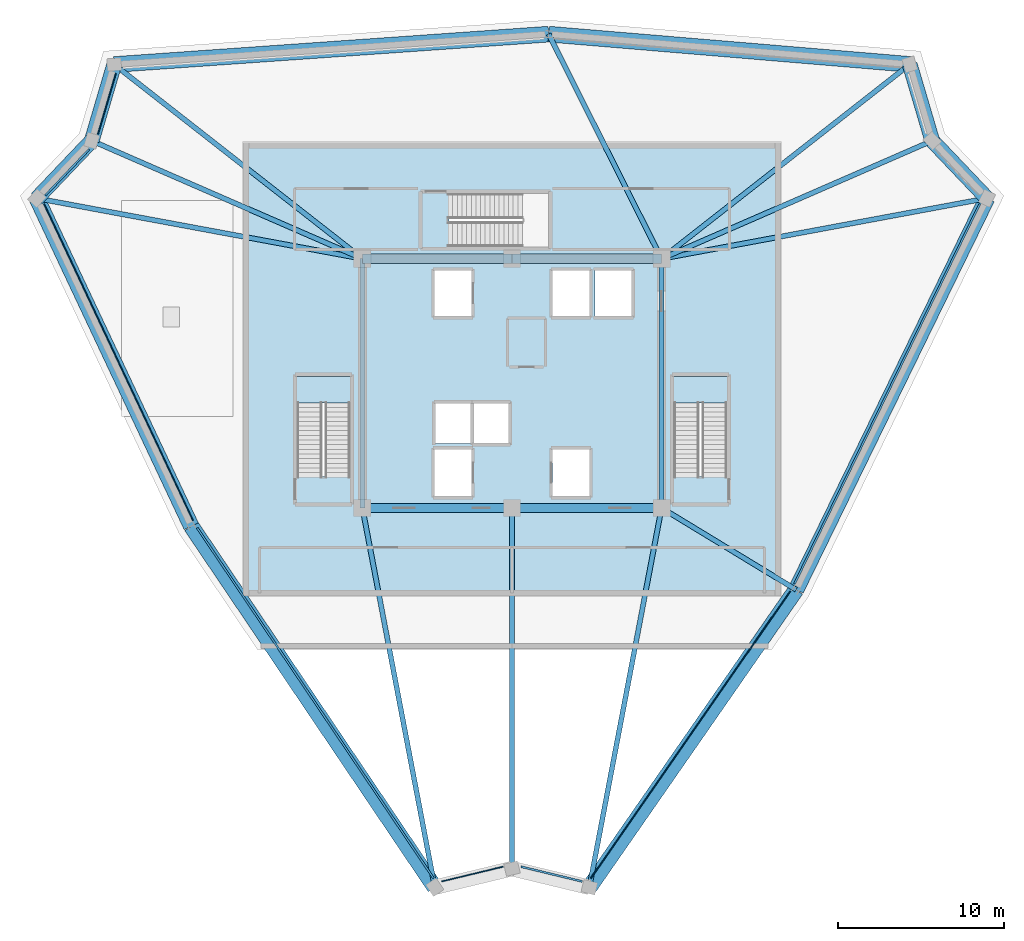
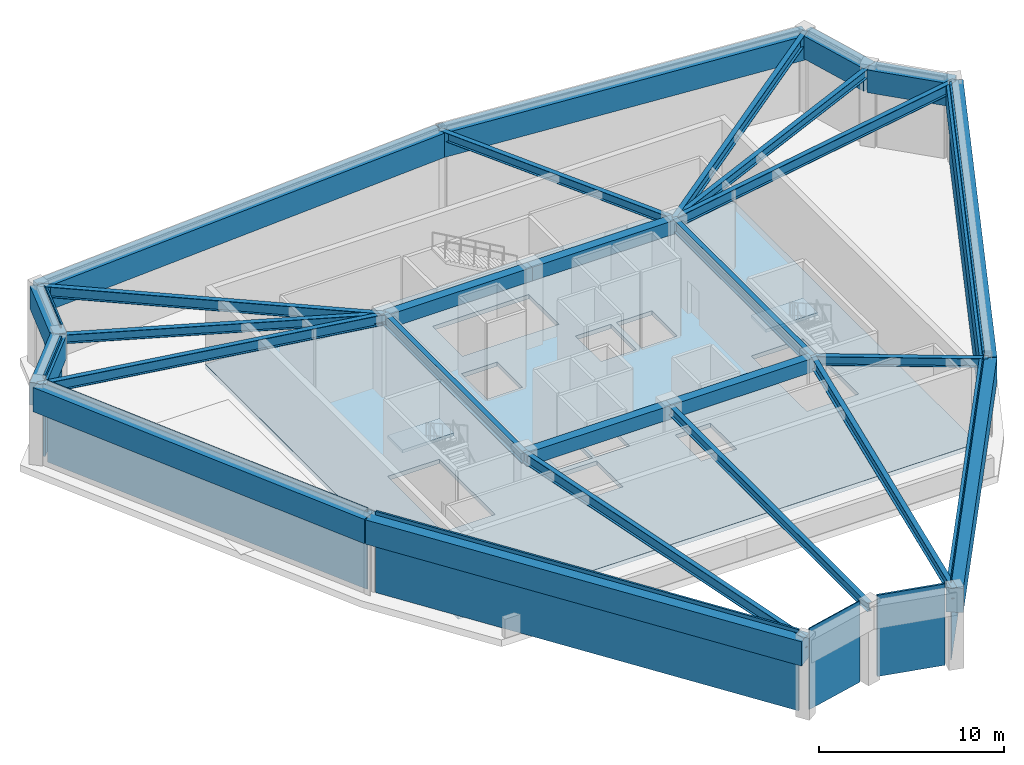
# One storey, part 3 of 8: 27 beams, 8 plates, 3 slabs, 2 elements without a shape of their own.
"""IFC4 building model written with IfcOpenShell, lengths in metres."""

from ifc_helpers import new_model, si_unit, direction, frame, origin, origin_2d, place, context, subcontext, project, spatial, polyline, rectangle, i_section, outline, extrude, source, transform, mapped, material, layer, layer_set, material_profile, profile_set, type_object, element, aggregate, save


model = new_model("IFC4")

# Units and contexts
model_context = context("Model", 3, precision=1e-05, world=origin(), true_north=direction((0.0, 1.0)))
body_context = subcontext(model_context, "Body", "Model", "MODEL_VIEW")
ifc_project = project(units=[si_unit("LENGTHUNIT", "METRE"), si_unit("AREAUNIT", "SQUARE_METRE"), si_unit("VOLUMEUNIT", "CUBIC_METRE"), si_unit("PLANEANGLEUNIT", "RADIAN"), si_unit("MASSUNIT", "GRAM", prefix="KILO")], contexts=[model_context])

# Site, building, storey
site_placement = place(None, origin())
site = spatial("IfcSite", under=ifc_project, at=site_placement, CompositionType="ELEMENT")
building_placement = place(site_placement, origin())
building = spatial("IfcBuilding", under=site, at=building_placement, Name="Liaohun Quay Tower", CompositionType="ELEMENT")
storey_placement = place(building_placement, frame((0.0, 0.0, 360.60009765625)))
storey = spatial("IfcBuildingStorey", under=building, at=storey_placement, Name="L93", CompositionType="ELEMENT", Elevation=360.60009765625)

# Beams
ifc_material_1 = material(Name="Steel Q355D", Category="steel")
ifc_material_profile_1 = material_profile(ifc_material_1, i_section(OverallWidth=0.300048828125, OverallDepth=0.800048828125, WebThickness=0.013916015625, FlangeThickness=0.02587890625, at=origin_2d()), Name="HN800x300x14x26")
ifc_profile_set_1 = profile_set([ifc_material_profile_1], Name="Steel Q355D")
beam_type_1 = type_object("IfcBeamType", Name="BM-RAD-M1", PredefinedType="BEAM", material=ifc_profile_set_1)
shared_shape_1 = source(origin(), body_context, "Body", "SweptSolid", [
    extrude(i_section(OverallWidth=0.300048828125, OverallDepth=0.800048828125, WebThickness=0.013916015625, FlangeThickness=0.02587890625, at=origin_2d()), origin(), (0.0, 0.0, 1.0), 15.0),
])
for number, where, z_axis, x_axis, name in (
    (1, (69.0, 46.5, 4.719970703125), (0.0, 1.0, 0.0), (-1.0, 0.0, 0.0), "L93 Core Coupling/Ring Beam CC3-CC4"),
    (2, (51.0, 61.5, 4.719970703125), (0.0, -1.0, 0.0), (1.0, 0.0, 0.0), "L93 Core Coupling/Ring Beam CC6-CC1"),
):
    element("IfcBeam", number, at=place(storey_placement, frame(where, z_axis=z_axis, x_axis=x_axis)), inside=storey, type_object=beam_type_1, Name=name, PredefinedType="BEAM", context=body_context, shape_type="MappedRepresentation", body=[
        mapped(shared_shape_1, transform((0.0, 0.0, 0.0), x_axis=(1.0, 0.0, 0.0), y_axis=(0.0, 1.0, 0.0), z_axis=(0.0, 0.0, 1.0), scale=1.0)),
    ])
ifc_material_2 = material(Name="Concrete C55", Category="concrete")
ifc_material_profile_2 = material_profile(ifc_material_2, rectangle(XDim=0.550048828125, YDim=0.89990234375, at=origin_2d()), Name="RC550x900")
ifc_profile_set_2 = profile_set([ifc_material_profile_2], Name="Concrete C55")
beam_type_2 = type_object("IfcBeamType", Name="BM-CPL-2", PredefinedType="LINTEL", material=ifc_profile_set_2)
shared_shape_2 = source(origin(), body_context, "Body", "SweptSolid", [
    extrude(rectangle(XDim=0.550048828125, YDim=0.89990234375, at=origin_2d()), origin(), (0.0, 0.0, 1.0), 9.0),
])
for number, where, z_axis, x_axis, name in (
    (3, (51.0, 46.5, 4.669921875), (1.0, 0.0, 0.0), (0.0, 1.0, 0.0), "L93 Core Coupling/Ring Beam CC1-CC2"),
    (4, (60.0, 46.5, 4.669921875), (1.0, 0.0, 0.0), (0.0, 1.0, 0.0), "L93 Core Coupling/Ring Beam CC2-CC3"),
    (5, (69.0, 61.5, 4.669921875), (-1.0, 0.0, 0.0), (0.0, -1.0, 0.0), "L93 Core Coupling/Ring Beam CC4-CC5"),
    (6, (60.0, 61.5, 4.669921875), (-1.0, 0.0, 0.0), (0.0, -1.0, 0.0), "L93 Core Coupling/Ring Beam CC5-CC6"),
):
    element("IfcBeam", number, at=place(storey_placement, frame(where, z_axis=z_axis, x_axis=x_axis)), inside=storey, type_object=beam_type_2, Name=name, PredefinedType="LINTEL", context=body_context, shape_type="MappedRepresentation", body=[
        mapped(shared_shape_2, transform((0.0, 0.0, 0.0), x_axis=(1.0, 0.0, 0.0), y_axis=(0.0, 1.0, 0.0), z_axis=(0.0, 0.0, 1.0), scale=1.0)),
    ])
ifc_material_profile_3 = material_profile(ifc_material_2, rectangle(XDim=0.949951171875, YDim=1.60009765625, at=origin_2d()), Name="RC950x1600")
ifc_profile_set_3 = profile_set([ifc_material_profile_3], Name="Concrete C55")
beam_type_3 = type_object("IfcBeamType", Name="BM-CAN-LNG", PredefinedType="SPANDREL", material=ifc_profile_set_3)
shared_shape_3 = source(origin(), body_context, "Body", "SweptSolid", [
    extrude(rectangle(XDim=0.949951171875, YDim=1.60009765625, at=origin_2d()), origin(), (0.0, 0.0, 1.0), 26.20751953125),
])
beam_1_placement = place(storey_placement, frame((55.35400390625, 23.677978515625, 4.31982421875), z_axis=(-0.559191552836, 0.829038483568, 0.0), x_axis=(-0.829038483568, -0.559191552836, 0.0)))
element("IfcBeam", 7, at=beam_1_placement, inside=storey, type_object=beam_type_3, Name="L93 Precast Spandrel Beam PC01-PC02", PredefinedType="SPANDREL", context=body_context, shape_type="MappedRepresentation", body=[
    mapped(shared_shape_3, transform((0.0, 0.0, 0.0), x_axis=(1.0, 0.0, 0.0), y_axis=(0.0, 1.0, 0.0), z_axis=(0.0, 0.0, 1.0), scale=1.0)),
])
shared_shape_4 = source(origin(), body_context, "Body", "SweptSolid", [
    extrude(rectangle(XDim=0.949951171875, YDim=1.60009765625, at=origin_2d()), origin(), (0.0, 0.0, 1.0), 21.803466796875),
])
beam_2_placement = place(storey_placement, frame((40.698974609375, 45.405029296875, 4.31982421875), z_axis=(-0.425993313614, 0.904726310414, 0.0), x_axis=(-0.904726310414, -0.425993313614, 0.0)))
element("IfcBeam", 8, at=beam_2_placement, inside=storey, type_object=beam_type_3, Name="L93 Precast Spandrel Beam PC02-PC03", PredefinedType="SPANDREL", context=body_context, shape_type="MappedRepresentation", body=[
    mapped(shared_shape_4, transform((0.0, 0.0, 0.0), x_axis=(1.0, 0.0, 0.0), y_axis=(0.0, 1.0, 0.0), z_axis=(0.0, 0.0, 1.0), scale=1.0)),
])
ifc_material_profile_4 = material_profile(ifc_material_2, rectangle(XDim=0.89990234375, YDim=1.5, at=origin_2d()), Name="RC900x1500")
ifc_profile_set_4 = profile_set([ifc_material_profile_4], Name="Concrete C55")
beam_type_4 = type_object("IfcBeamType", Name="BM-CAN-RING", PredefinedType="BEAM", material=ifc_profile_set_4)
shared_shape_5 = source(origin(), body_context, "Body", "SweptSolid", [
    extrude(rectangle(XDim=0.89990234375, YDim=1.5, at=origin_2d()), origin(), (0.0, 0.0, 1.0), 4.78857421875),
])
beam_3_placement = place(storey_placement, frame((31.410888671875, 65.131103515625, 4.369873046875), z_axis=(0.689350846043, 0.724427643771, 0.0), x_axis=(-0.724427643771, 0.689350846043, 0.0)))
element("IfcBeam", 9, at=beam_3_placement, inside=storey, type_object=beam_type_4, Name="L93 Precast Spandrel Beam PC03-PC04", PredefinedType="BEAM", context=body_context, shape_type="MappedRepresentation", body=[
    mapped(shared_shape_5, transform((0.0, 0.0, 0.0), x_axis=(1.0, 0.0, 0.0), y_axis=(0.0, 1.0, 0.0), z_axis=(0.0, 0.0, 1.0), scale=1.0)),
])
shared_shape_6 = source(origin(), body_context, "Body", "SweptSolid", [
    extrude(rectangle(XDim=0.89990234375, YDim=1.5, at=origin_2d()), origin(), (0.0, 0.0, 1.0), 4.77978515625),
])
beam_4_placement = place(storey_placement, frame((34.7119140625, 68.60009765625, 4.369873046875), z_axis=(0.282658510174, 0.959220603733, 0.0), x_axis=(-0.959220603733, 0.282658510174, 0.0)))
element("IfcBeam", 10, at=beam_4_placement, inside=storey, type_object=beam_type_4, Name="L93 Precast Spandrel Beam PC04-PC05", PredefinedType="BEAM", context=body_context, shape_type="MappedRepresentation", body=[
    mapped(shared_shape_6, transform((0.0, 0.0, 0.0), x_axis=(1.0, 0.0, 0.0), y_axis=(0.0, 1.0, 0.0), z_axis=(0.0, 0.0, 1.0), scale=1.0)),
])
shared_shape_7 = source(origin(), body_context, "Body", "SweptSolid", [
    extrude(rectangle(XDim=0.949951171875, YDim=1.60009765625, at=origin_2d()), origin(), (0.0, 0.0, 1.0), 26.207763671875),
])
beam_5_placement = place(storey_placement, frame((36.06298828125, 73.18505859375, 4.31982421875), z_axis=(0.997564816794, 0.069745510929, 0.0), x_axis=(-0.069745510929, 0.997564816794, 0.0)))
element("IfcBeam", 11, at=beam_5_placement, inside=storey, type_object=beam_type_3, Name="L93 Precast Spandrel Beam PC05-PC06", PredefinedType="SPANDREL", context=body_context, shape_type="MappedRepresentation", body=[
    mapped(shared_shape_7, transform((0.0, 0.0, 0.0), x_axis=(1.0, 0.0, 0.0), y_axis=(0.0, 1.0, 0.0), z_axis=(0.0, 0.0, 1.0), scale=1.0)),
])
shared_shape_8 = source(origin(), body_context, "Body", "SweptSolid", [
    extrude(rectangle(XDim=0.949951171875, YDim=1.60009765625, at=origin_2d()), origin(), (0.0, 0.0, 1.0), 21.802978515625),
])
beam_6_placement = place(storey_placement, frame((62.20703125, 75.012939453125, 4.31982421875), z_axis=(0.996514334096, -0.083421711453, 0.0), x_axis=(0.083421711453, 0.996514334096, 0.0)))
element("IfcBeam", 12, at=beam_6_placement, inside=storey, type_object=beam_type_3, Name="L93 Precast Spandrel Beam PC06-PC07", PredefinedType="SPANDREL", context=body_context, shape_type="MappedRepresentation", body=[
    mapped(shared_shape_8, transform((0.0, 0.0, 0.0), x_axis=(1.0, 0.0, 0.0), y_axis=(0.0, 1.0, 0.0), z_axis=(0.0, 0.0, 1.0), scale=1.0)),
])
shared_shape_9 = source(origin(), body_context, "Body", "SweptSolid", [
    extrude(rectangle(XDim=0.89990234375, YDim=1.5, at=origin_2d()), origin(), (0.0, 0.0, 1.0), 4.789306640625),
])
beam_7_placement = place(storey_placement, frame((83.93408203125, 73.194091796875, 4.369873046875), z_axis=(0.282709962926, -0.959205440384, 0.0), x_axis=(0.959205440384, 0.282709962926, 0.0)))
element("IfcBeam", 13, at=beam_7_placement, inside=storey, type_object=beam_type_4, Name="L93 Precast Spandrel Beam PC07-PC08", PredefinedType="BEAM", context=body_context, shape_type="MappedRepresentation", body=[
    mapped(shared_shape_9, transform((0.0, 0.0, 0.0), x_axis=(1.0, 0.0, 0.0), y_axis=(0.0, 1.0, 0.0), z_axis=(0.0, 0.0, 1.0), scale=1.0)),
])
shared_shape_10 = source(origin(), body_context, "Body", "SweptSolid", [
    extrude(rectangle(XDim=0.89990234375, YDim=1.5, at=origin_2d()), origin(), (0.0, 0.0, 1.0), 4.780029296875),
])
beam_8_placement = place(storey_placement, frame((85.2880859375, 68.60009765625, 4.369873046875), z_axis=(0.689292892883, -0.724482786422, 0.0), x_axis=(0.724482786422, 0.689292892883, 0.0)))
element("IfcBeam", 14, at=beam_8_placement, inside=storey, type_object=beam_type_4, Name="L93 Precast Spandrel Beam PC08-PC09", PredefinedType="BEAM", context=body_context, shape_type="MappedRepresentation", body=[
    mapped(shared_shape_10, transform((0.0, 0.0, 0.0), x_axis=(1.0, 0.0, 0.0), y_axis=(0.0, 1.0, 0.0), z_axis=(0.0, 0.0, 1.0), scale=1.0)),
])
shared_shape_11 = source(origin(), body_context, "Body", "SweptSolid", [
    extrude(rectangle(XDim=0.949951171875, YDim=1.60009765625, at=origin_2d()), origin(), (0.0, 0.0, 1.0), 26.20703125),
])
beam_9_placement = place(storey_placement, frame((88.5830078125, 65.136962890625, 4.31982421875), z_axis=(-0.438356638262, -0.898801122435, 0.0), x_axis=(0.898801122435, -0.438356638262, 0.0)))
element("IfcBeam", 15, at=beam_9_placement, inside=storey, type_object=beam_type_3, Name="L93 Precast Spandrel Beam PC09-PC10", PredefinedType="SPANDREL", context=body_context, shape_type="MappedRepresentation", body=[
    mapped(shared_shape_11, transform((0.0, 0.0, 0.0), x_axis=(1.0, 0.0, 0.0), y_axis=(0.0, 1.0, 0.0), z_axis=(0.0, 0.0, 1.0), scale=1.0)),
])
shared_shape_12 = source(origin(), body_context, "Body", "SweptSolid", [
    extrude(rectangle(XDim=0.949951171875, YDim=1.60009765625, at=origin_2d()), origin(), (0.0, 0.0, 1.0), 21.80322265625),
])
beam_10_placement = place(storey_placement, frame((77.094970703125, 41.58203125, 4.31982421875), z_axis=(-0.570557168324, -0.821257887435, 0.0), x_axis=(0.821257887435, -0.570557168324, 0.0)))
element("IfcBeam", 16, at=beam_10_placement, inside=storey, type_object=beam_type_3, Name="L93 Precast Spandrel Beam PC10-PC11", PredefinedType="SPANDREL", context=body_context, shape_type="MappedRepresentation", body=[
    mapped(shared_shape_12, transform((0.0, 0.0, 0.0), x_axis=(1.0, 0.0, 0.0), y_axis=(0.0, 1.0, 0.0), z_axis=(0.0, 0.0, 1.0), scale=1.0)),
])
ifc_material_profile_5 = material_profile(ifc_material_1, i_section(OverallWidth=0.300048828125, OverallDepth=0.699951171875, WebThickness=0.012939453125, FlangeThickness=0.02392578125, at=origin_2d()), Name="HN700x300x13x24")
ifc_profile_set_5 = profile_set([ifc_material_profile_5], Name="Steel Q355D")
beam_type_5 = type_object("IfcBeamType", Name="BM-RAD-U1", PredefinedType="BEAM", material=ifc_profile_set_5)
shared_shape_13 = source(origin(), body_context, "Body", "SweptSolid", [
    extrude(i_section(OverallWidth=0.300048828125, OverallDepth=0.699951171875, WebThickness=0.012939453125, FlangeThickness=0.02392578125, at=origin_2d()), origin(), (0.0, 0.0, 1.0), 23.233642578125),
])
beam_11_placement = place(storey_placement, frame((51.0, 46.5, 4.77001953125), z_axis=(0.187400853189, -0.982283523339, 0.0), x_axis=(0.982283523339, 0.187400853189, 0.0)))
element("IfcBeam", 17, at=beam_11_placement, inside=storey, type_object=beam_type_5, Name="L93 Radial Primary Girder CC1-PC01", PredefinedType="BEAM", context=body_context, shape_type="MappedRepresentation", body=[
    mapped(shared_shape_13, transform((0.0, 0.0, 0.0), x_axis=(1.0, 0.0, 0.0), y_axis=(0.0, 1.0, 0.0), z_axis=(0.0, 0.0, 1.0), scale=1.0)),
])
shared_shape_14 = source(origin(), body_context, "Body", "SweptSolid", [
    extrude(i_section(OverallWidth=0.300048828125, OverallDepth=0.699951171875, WebThickness=0.012939453125, FlangeThickness=0.02392578125, at=origin_2d()), origin(), (0.0, 0.0, 1.0), 19.9228515625),
])
beam_12_placement = place(storey_placement, frame((51.0, 61.5, 4.77001953125), z_axis=(-0.983250623213, 0.182258640266, 0.0), x_axis=(-0.182258640266, -0.983250623213, 0.0)))
element("IfcBeam", 18, at=beam_12_placement, inside=storey, type_object=beam_type_5, Name="L93 Radial Primary Girder CC6-PC03", PredefinedType="BEAM", context=body_context, shape_type="MappedRepresentation", body=[
    mapped(shared_shape_14, transform((0.0, 0.0, 0.0), x_axis=(1.0, 0.0, 0.0), y_axis=(0.0, 1.0, 0.0), z_axis=(0.0, 0.0, 1.0), scale=1.0)),
])
ifc_material_profile_6 = material_profile(ifc_material_1, i_section(OverallWidth=0.300048828125, OverallDepth=0.587890625, WebThickness=0.011962890625, FlangeThickness=0.02001953125, at=origin_2d()), Name="HM588x300x12x20")
ifc_profile_set_6 = profile_set([ifc_material_profile_6], Name="Steel Q355D")
beam_type_6 = type_object("IfcBeamType", Name="BM-RAD-U2", PredefinedType="BEAM", material=ifc_profile_set_6)
shared_shape_15 = source(origin(), body_context, "Body", "SweptSolid", [
    extrude(i_section(OverallWidth=0.300048828125, OverallDepth=0.587890625, WebThickness=0.011962890625, FlangeThickness=0.02001953125, at=origin_2d()), origin(), (0.0, 0.0, 1.0), 17.768310546875),
])
for number, where, z_axis, x_axis, name in (
    (19, (51.0, 61.5, 4.825927734375), (-0.916692609329, 0.39959311806, 0.0), (-0.39959311806, -0.916692609329, 0.0), "L93 Radial Primary Girder CC6-PC04"),
    (20, (69.0, 61.5, 4.825927734375), (0.916692609329, 0.39959311806, 0.0), (-0.39959311806, 0.916692609329, 0.0), "L93 Radial Primary Girder CC4-PC08"),
):
    element("IfcBeam", number, at=place(storey_placement, frame(where, z_axis=z_axis, x_axis=x_axis)), inside=storey, type_object=beam_type_6, Name=name, PredefinedType="BEAM", context=body_context, shape_type="MappedRepresentation", body=[
        mapped(shared_shape_15, transform((0.0, 0.0, 0.0), x_axis=(1.0, 0.0, 0.0), y_axis=(0.0, 1.0, 0.0), z_axis=(0.0, 0.0, 1.0), scale=1.0)),
    ])
shared_shape_16 = source(origin(), body_context, "Body", "SweptSolid", [
    extrude(i_section(OverallWidth=0.300048828125, OverallDepth=0.699951171875, WebThickness=0.012939453125, FlangeThickness=0.02392578125, at=origin_2d()), origin(), (0.0, 0.0, 1.0), 18.964599609375),
])
beam_13_placement = place(storey_placement, frame((51.0, 61.5, 4.77001953125), z_axis=(-0.787627231061, 0.616152046894, 0.0), x_axis=(-0.616152046894, -0.787627231061, 0.0)))
element("IfcBeam", 21, at=beam_13_placement, inside=storey, type_object=beam_type_5, Name="L93 Radial Primary Girder CC6-PC05", PredefinedType="BEAM", context=body_context, shape_type="MappedRepresentation", body=[
    mapped(shared_shape_16, transform((0.0, 0.0, 0.0), x_axis=(1.0, 0.0, 0.0), y_axis=(0.0, 1.0, 0.0), z_axis=(0.0, 0.0, 1.0), scale=1.0)),
])
shared_shape_17 = source(origin(), body_context, "Body", "SweptSolid", [
    extrude(i_section(OverallWidth=0.300048828125, OverallDepth=0.587890625, WebThickness=0.011962890625, FlangeThickness=0.02001953125, at=origin_2d()), origin(), (0.0, 0.0, 1.0), 15.124267578125),
])
beam_14_placement = place(storey_placement, frame((69.0, 61.5, 4.825927734375), z_axis=(-0.449143171983, 0.893459798234, 0.0), x_axis=(-0.893459798234, -0.449143171983, 0.0)))
element("IfcBeam", 22, at=beam_14_placement, inside=storey, type_object=beam_type_6, Name="L93 Radial Primary Girder CC4-PC06", PredefinedType="BEAM", context=body_context, shape_type="MappedRepresentation", body=[
    mapped(shared_shape_17, transform((0.0, 0.0, 0.0), x_axis=(1.0, 0.0, 0.0), y_axis=(0.0, 1.0, 0.0), z_axis=(0.0, 0.0, 1.0), scale=1.0)),
])
shared_shape_18 = source(origin(), body_context, "Body", "SweptSolid", [
    extrude(i_section(OverallWidth=0.300048828125, OverallDepth=0.699951171875, WebThickness=0.012939453125, FlangeThickness=0.02392578125, at=origin_2d()), origin(), (0.0, 0.0, 1.0), 18.9677734375),
])
beam_15_placement = place(storey_placement, frame((69.0, 61.5, 4.77001953125), z_axis=(0.787337388481, 0.616522373236, 0.0), x_axis=(-0.616522373236, 0.787337388481, 0.0)))
element("IfcBeam", 23, at=beam_15_placement, inside=storey, type_object=beam_type_5, Name="L93 Radial Primary Girder CC4-PC07", PredefinedType="BEAM", context=body_context, shape_type="MappedRepresentation", body=[
    mapped(shared_shape_18, transform((0.0, 0.0, 0.0), x_axis=(1.0, 0.0, 0.0), y_axis=(0.0, 1.0, 0.0), z_axis=(0.0, 0.0, 1.0), scale=1.0)),
])
shared_shape_19 = source(origin(), body_context, "Body", "SweptSolid", [
    extrude(i_section(OverallWidth=0.300048828125, OverallDepth=0.699951171875, WebThickness=0.012939453125, FlangeThickness=0.02392578125, at=origin_2d()), origin(), (0.0, 0.0, 1.0), 19.91796875),
])
beam_16_placement = place(storey_placement, frame((69.0, 61.5, 4.77001953125), z_axis=(0.983187667258, 0.182597948925, 0.0), x_axis=(-0.182597948925, 0.983187667258, 0.0)))
element("IfcBeam", 24, at=beam_16_placement, inside=storey, type_object=beam_type_5, Name="L93 Radial Primary Girder CC4-PC09", PredefinedType="BEAM", context=body_context, shape_type="MappedRepresentation", body=[
    mapped(shared_shape_19, transform((0.0, 0.0, 0.0), x_axis=(1.0, 0.0, 0.0), y_axis=(0.0, 1.0, 0.0), z_axis=(0.0, 0.0, 1.0), scale=1.0)),
])
shared_shape_20 = source(origin(), body_context, "Body", "SweptSolid", [
    extrude(i_section(OverallWidth=0.300048828125, OverallDepth=0.587890625, WebThickness=0.011962890625, FlangeThickness=0.02001953125, at=origin_2d()), origin(), (0.0, 0.0, 1.0), 9.4716796875),
])
beam_17_placement = place(storey_placement, frame((69.0, 46.5, 4.825927734375), z_axis=(0.854639241028, -0.519222271956, 0.0), x_axis=(0.519222271956, 0.854639241028, 0.0)))
element("IfcBeam", 25, at=beam_17_placement, inside=storey, type_object=beam_type_6, Name="L93 Radial Primary Girder CC3-PC10", PredefinedType="BEAM", context=body_context, shape_type="MappedRepresentation", body=[
    mapped(shared_shape_20, transform((0.0, 0.0, 0.0), x_axis=(1.0, 0.0, 0.0), y_axis=(0.0, 1.0, 0.0), z_axis=(0.0, 0.0, 1.0), scale=1.0)),
])
shared_shape_21 = source(origin(), body_context, "Body", "SweptSolid", [
    extrude(i_section(OverallWidth=0.300048828125, OverallDepth=0.699951171875, WebThickness=0.012939453125, FlangeThickness=0.02392578125, at=origin_2d()), origin(), (0.0, 0.0, 1.0), 23.23388671875),
])
beam_18_placement = place(storey_placement, frame((69.0, 46.5, 4.77001953125), z_axis=(-0.187010223327, -0.982357967531, 0.0), x_axis=(0.982357967531, -0.187010223327, 0.0)))
element("IfcBeam", 26, at=beam_18_placement, inside=storey, type_object=beam_type_5, Name="L93 Radial Primary Girder CC3-PC11", PredefinedType="BEAM", context=body_context, shape_type="MappedRepresentation", body=[
    mapped(shared_shape_21, transform((0.0, 0.0, 0.0), x_axis=(1.0, 0.0, 0.0), y_axis=(0.0, 1.0, 0.0), z_axis=(0.0, 0.0, 1.0), scale=1.0)),
])
shared_shape_22 = source(origin(), body_context, "Body", "SweptSolid", [
    extrude(i_section(OverallWidth=0.300048828125, OverallDepth=0.587890625, WebThickness=0.011962890625, FlangeThickness=0.02001953125, at=origin_2d()), origin(), (0.0, 0.0, 1.0), 21.700927734375),
])
beam_19_placement = place(storey_placement, frame((60.0, 46.5, 4.825927734375), z_axis=(0.0, -1.0, 0.0), x_axis=(1.0, 0.0, 0.0)))
element("IfcBeam", 27, at=beam_19_placement, inside=storey, type_object=beam_type_6, Name="L93 Radial Primary Girder CC2-PC12", PredefinedType="BEAM", context=body_context, shape_type="MappedRepresentation", body=[
    mapped(shared_shape_22, transform((0.0, 0.0, 0.0), x_axis=(1.0, 0.0, 0.0), y_axis=(0.0, 1.0, 0.0), z_axis=(0.0, 0.0, 1.0), scale=1.0)),
])

# Stair, slab
ifc_material_3 = material(Name="Concrete C45", Category="concrete")
stair_type = type_object("IfcStairType", Name="STR-CORE-CRN", PredefinedType="HALF_TURN_STAIR", material=ifc_material_3)
stair_1_placement = place(storey_placement, origin())
stair_1 = element("IfcStair", 28, at=stair_1_placement, inside=storey, type_object=stair_type, Name="L93 Smokeproof Core Exit Stair ST-1", PredefinedType="HALF_TURN_STAIR")
ifc_layer_1 = layer(ifc_material_3, 0.199951171875, Name="Concrete C45", Category="concrete")
ifc_layer_set_1 = layer_set([ifc_layer_1], Name="Concrete C45")
slab_type_1 = type_object("IfcSlabType", Name="SLB-LND-200", PredefinedType="LANDING", material=ifc_layer_set_1)
slab_1_placement = place(storey_placement, frame((0.0, 0.0, 2.5)))
slab_1 = element("IfcSlab", 29, at=slab_1_placement, type_object=slab_type_1, Name="ST-1 landing 1", PredefinedType="LANDING", context=body_context, shape_type="SweptSolid", body=[
    extrude(outline(polyline([(50.280029296875, 52.830078125), (50.280029296875, 54.419921875), (47.0400390625, 54.419921875), (47.0400390625, 52.830078125), (50.280029296875, 52.830078125)])), origin(), (0.0, 0.0, 1.0), 0.199951171875),
])
aggregate(stair_1, [slab_1])

stair_2_placement = place(storey_placement, origin())
stair_2 = element("IfcStair", 30, at=stair_2_placement, inside=storey, type_object=stair_type, Name="L93 Smokeproof Core Exit Stair ST-2", PredefinedType="HALF_TURN_STAIR")
slab_2_placement = place(storey_placement, frame((0.0, 0.0, 2.5)))
slab_2 = element("IfcSlab", 31, at=slab_2_placement, type_object=slab_type_1, Name="ST-2 landing 1", PredefinedType="LANDING", context=body_context, shape_type="SweptSolid", body=[
    extrude(outline(polyline([(72.9599609375, 52.830078125), (72.9599609375, 54.419921875), (69.719970703125, 54.419921875), (69.719970703125, 52.830078125), (72.9599609375, 52.830078125)])), origin(), (0.0, 0.0, 1.0), 0.199951171875),
])
aggregate(stair_2, [slab_2])

# Slab
ifc_material_4 = material(Name="Concrete C50", Category="concrete")
ifc_layer_2 = layer(ifc_material_4, 0.280029296875, Name="Concrete C50", Category="concrete")
ifc_layer_set_2 = layer_set([ifc_layer_2], Name="Concrete C50")
slab_type_2 = type_object("IfcSlabType", Name="SLB-REF-280", PredefinedType="FLOOR", material=ifc_layer_set_2)
slab_3_placement = place(storey_placement, frame((0.0, 0.0, -0.280029296875)))
element("IfcSlab", 32, at=slab_3_placement, inside=storey, type_object=slab_type_2, Name="L93 Lower Crown Mechanical Floor Slab", PredefinedType="FLOOR", context=body_context, shape_type="SweptSolid", body=[
    extrude(outline(polyline([(43.800048828125, 41.199951171875), (76.199951171875, 41.199951171875), (76.199951171875, 68.5), (43.800048828125, 68.5), (43.800048828125, 41.199951171875)]), holes=[polyline([(57.56005859375, 50.030029296875), (55.340087890625, 50.030029296875), (55.340087890625, 47.2099609375), (57.56005859375, 47.2099609375), (57.56005859375, 50.030029296875)]), polyline([(64.659912109375, 50.030029296875), (62.43994140625, 50.030029296875), (62.43994140625, 47.2099609375), (64.659912109375, 47.2099609375), (64.659912109375, 50.030029296875)]), polyline([(47.0400390625, 54.419921875), (47.0400390625, 48.409912109375), (50.280029296875, 48.409912109375), (50.280029296875, 54.419921875), (47.0400390625, 54.419921875)]), polyline([(72.9599609375, 54.419921875), (69.719970703125, 54.419921875), (69.719970703125, 48.409912109375), (72.9599609375, 48.409912109375), (72.9599609375, 54.419921875)]), polyline([(57.510009765625, 50.389892578125), (57.510009765625, 52.81005859375), (55.389892578125, 52.81005859375), (55.389892578125, 50.389892578125), (57.510009765625, 50.389892578125)]), polyline([(59.81005859375, 52.81005859375), (57.68994140625, 52.81005859375), (57.68994140625, 50.389892578125), (59.81005859375, 50.389892578125), (59.81005859375, 52.81005859375)]), polyline([(57.56005859375, 60.7900390625), (55.340087890625, 60.7900390625), (55.340087890625, 58.0400390625), (57.56005859375, 58.0400390625), (57.56005859375, 60.7900390625)]), polyline([(64.659912109375, 60.7900390625), (62.43994140625, 60.7900390625), (62.43994140625, 58.0400390625), (64.659912109375, 58.0400390625), (64.659912109375, 60.7900390625)]), polyline([(67.2099609375, 58.0400390625), (67.2099609375, 60.7900390625), (64.989990234375, 60.7900390625), (64.989990234375, 58.0400390625), (67.2099609375, 58.0400390625)]), polyline([(62.219970703125, 62.199951171875), (62.219970703125, 65.43994140625), (56.2099609375, 65.43994140625), (56.2099609375, 62.199951171875), (62.219970703125, 62.199951171875)])]), origin(), (0.0, 0.0, 1.0), 0.280029296875),
])

# Plates
ifc_material_5 = material(Name="Precast concrete C50 bush-hammered spandrel plate", Category="concrete")
ifc_layer_3 = layer(ifc_material_5, 0.1201171875, Name="Precast concrete C50 bush-hammered spandrel plate", Category="concrete")
ifc_layer_set_3 = layer_set([ifc_layer_3], Name="Precast concrete C50 bush-hammered spandrel plate")
plate_type_1 = type_object("IfcPlateType", Name="PLT-PRC-CLAD", PredefinedType="USERDEFINED", material=ifc_layer_set_3)
shared_shape_23 = source(origin(), body_context, "Body", "SweptSolid", [
    extrude(rectangle(XDim=3.800048828125, YDim=0.1201171875, at=origin_2d()), origin(), (0.0, 0.0, 1.0), 5.360107421875),
])
plate_1_placement = place(storey_placement, frame((62.384033203125, 24.470947265625, 0.0), z_axis=(0.0, 0.0, 1.0), x_axis=(0.972083987461, -0.234633163303, 0.0)))
element("IfcPlate", 33, at=plate_1_placement, inside=storey, type_object=plate_type_1, Name="L93 Crown Brutalist Cladding Fascia 01", ObjectType="CLADDING PLATE", PredefinedType="USERDEFINED", context=body_context, shape_type="MappedRepresentation", body=[
    mapped(shared_shape_23, transform((0.0, 0.0, 0.0), x_axis=(1.0, 0.0, 0.0), y_axis=(0.0, 1.0, 0.0), z_axis=(0.0, 0.0, 1.0), scale=1.0)),
])
ifc_material_6 = material(Name="Insulated anodised aluminium spandrel cassette", Category="aluminium")
ifc_layer_4 = layer(ifc_material_6, 0.06005859375, Name="Insulated anodised aluminium spandrel cassette", Category="aluminium")
ifc_layer_set_4 = layer_set([ifc_layer_4], Name="Insulated anodised aluminium spandrel cassette")
plate_type_2 = type_object("IfcPlateType", Name="PLT-CWP-SPD", PredefinedType="SHEET", material=ifc_layer_set_4)
shared_shape_24 = source(origin(), body_context, "Body", "SweptSolid", [
    extrude(rectangle(XDim=21.02392578125, YDim=0.06005859375, at=origin_2d()), origin(), (0.0, 0.0, 1.0), 5.360107421875),
])
for number, where, z_axis, x_axis, name in (
    (34, (70.738037109375, 32.85205078125, 0.0), (0.0, 0.0, 1.0), (0.570570241419, 0.821248804935, 0.0), "L93 Crown Brutalist Cladding Fascia 02"),
    (35, (36.31689453125, 55.27490234375, 0.0), (0.0, 0.0, 1.0), (0.425937207192, -0.90475272618, 0.0), "L93 Crown Brutalist Cladding Fascia 10"),
):
    element("IfcPlate", number, at=place(storey_placement, frame(where, z_axis=z_axis, x_axis=x_axis)), inside=storey, type_object=plate_type_2, Name=name, PredefinedType="SHEET", context=body_context, shape_type="MappedRepresentation", body=[
        mapped(shared_shape_24, transform((0.0, 0.0, 0.0), x_axis=(1.0, 0.0, 0.0), y_axis=(0.0, 1.0, 0.0), z_axis=(0.0, 0.0, 1.0), scale=1.0)),
    ])
shared_shape_25 = source(origin(), body_context, "Body", "SweptSolid", [
    extrude(rectangle(XDim=25.428955078125, YDim=0.1201171875, at=origin_2d()), origin(), (0.0, 0.0, 1.0), 5.360107421875),
])
for number, where, z_axis, x_axis, name in (
    (36, (82.576904296875, 53.3701171875, 0.0), (0.0, 0.0, 1.0), (0.438371146789, 0.898794046299, 0.0), "L93 Crown Brutalist Cladding Fascia 03"),
    (37, (48.166015625, 34.762939453125, 0.0), (0.0, 0.0, 1.0), (0.559192903471, -0.829037572555, 0.0), "L93 Crown Brutalist Cladding Fascia 11"),
):
    element("IfcPlate", number, at=place(storey_placement, frame(where, z_axis=z_axis, x_axis=x_axis)), inside=storey, type_object=plate_type_1, Name=name, ObjectType="CLADDING PLATE", PredefinedType="USERDEFINED", context=body_context, shape_type="MappedRepresentation", body=[
        mapped(shared_shape_25, transform((0.0, 0.0, 0.0), x_axis=(1.0, 0.0, 0.0), y_axis=(0.0, 1.0, 0.0), z_axis=(0.0, 0.0, 1.0), scale=1.0)),
    ])
shared_shape_26 = source(origin(), body_context, "Body", "SweptSolid", [
    extrude(rectangle(XDim=3.7900390625, YDim=0.06005859375, at=origin_2d()), origin(), (0.0, 0.0, 1.0), 5.360107421875),
])
for number, where, z_axis, x_axis, name in (
    (38, (35.617919921875, 70.824951171875, 0.0), (0.0, 0.0, 1.0), (-0.28284371374, -0.959166009405, 0.0), "L93 Crown Brutalist Cladding Fascia 08"),
    (39, (57.62109375, 24.471923828125, 0.0), (0.0, 0.0, 1.0), (0.972083987461, 0.234633163303, 0.0), "L93 Crown Brutalist Cladding Fascia 12"),
):
    element("IfcPlate", number, at=place(storey_placement, frame(where, z_axis=z_axis, x_axis=x_axis)), inside=storey, type_object=plate_type_2, Name=name, PredefinedType="SHEET", context=body_context, shape_type="MappedRepresentation", body=[
        mapped(shared_shape_26, transform((0.0, 0.0, 0.0), x_axis=(1.0, 0.0, 0.0), y_axis=(0.0, 1.0, 0.0), z_axis=(0.0, 0.0, 1.0), scale=1.0)),
    ])
shared_shape_27 = source(origin(), body_context, "Body", "SweptSolid", [
    extrude(rectangle(XDim=3.798095703125, YDim=0.1201171875, at=origin_2d()), origin(), (0.0, 0.0, 1.0), 5.360107421875),
])
plate_2_placement = place(storey_placement, frame((33.235107421875, 66.699951171875, 0.0), z_axis=(0.0, 0.0, 1.0), x_axis=(-0.689493141399, -0.724292211723, 0.0)))
element("IfcPlate", 40, at=plate_2_placement, inside=storey, type_object=plate_type_1, Name="L93 Crown Brutalist Cladding Fascia 09", ObjectType="CLADDING PLATE", PredefinedType="USERDEFINED", context=body_context, shape_type="MappedRepresentation", body=[
    mapped(shared_shape_27, transform((0.0, 0.0, 0.0), x_axis=(1.0, 0.0, 0.0), y_axis=(0.0, 1.0, 0.0), z_axis=(0.0, 0.0, 1.0), scale=1.0)),
])

save(model, "model.ifc")
